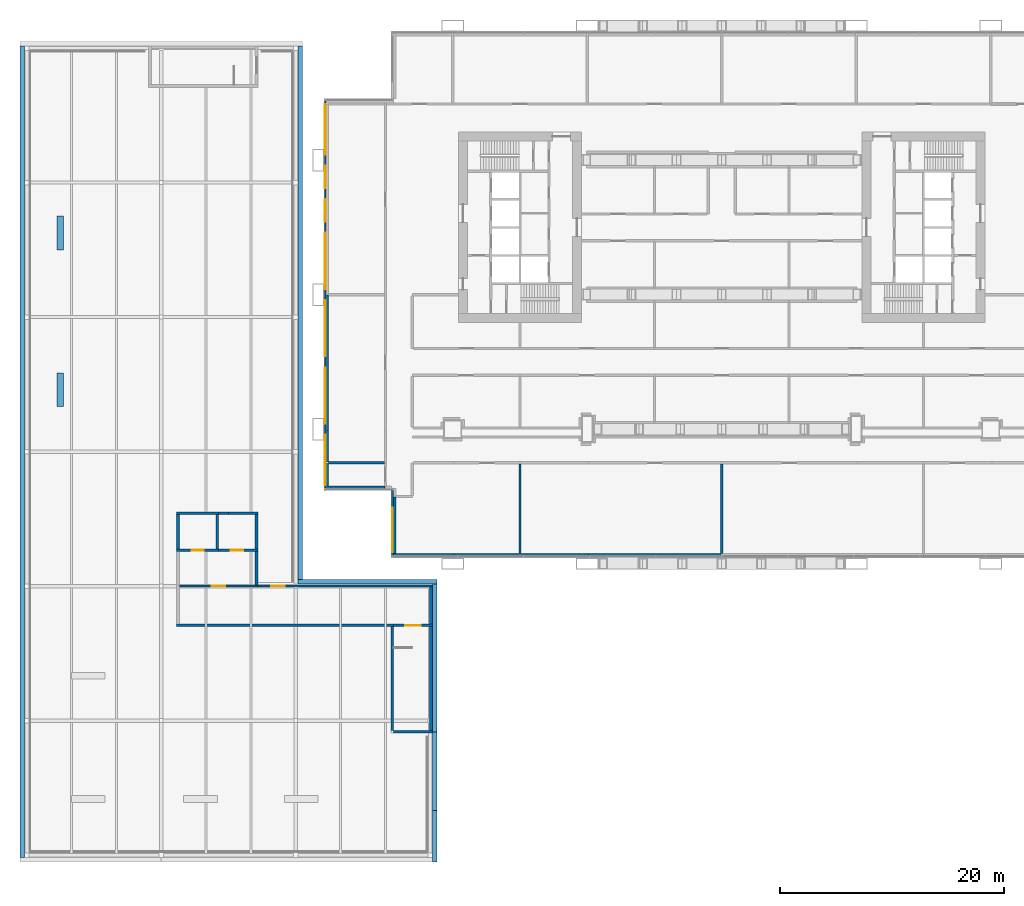
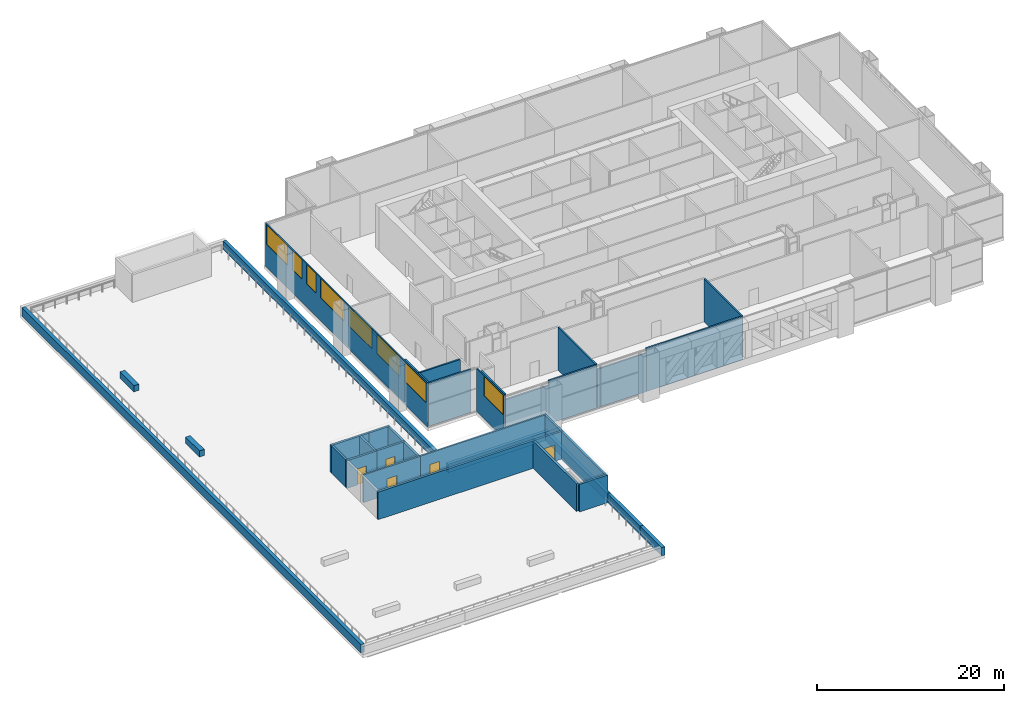
# One storey, part 20 of 27: 39 walls, 8 windows, 5 doors, 13 openings.
"""IFC4 building model written with IfcOpenShell, lengths in metres."""

from ifc_helpers import new_model, si_unit, direction, frame, frame_2d, origin, place, context, subcontext, project, spatial, rectangle, extrude, material, layer, layer_set, type_object, element, fill, save


model = new_model("IFC4")

# Units and contexts
model_context = context("Model", 3, precision=1e-05, world=origin(), true_north=direction((0.0, 1.0)))
body_context = subcontext(model_context, "Body", "Model", "MODEL_VIEW")
ifc_project = project(units=[si_unit("LENGTHUNIT", "METRE"), si_unit("AREAUNIT", "SQUARE_METRE"), si_unit("VOLUMEUNIT", "CUBIC_METRE"), si_unit("PLANEANGLEUNIT", "RADIAN"), si_unit("MASSUNIT", "GRAM", prefix="KILO")], contexts=[model_context])

# Site, building, storey
site_placement = place(None, origin())
site = spatial("IfcSite", under=ifc_project, at=site_placement, CompositionType="ELEMENT")
building_placement = place(site_placement, origin())
building = spatial("IfcBuilding", under=site, at=building_placement, Name="Kitamizu Gate Tower and Museum", CompositionType="ELEMENT")
storey_placement = place(building_placement, frame((0.0, 0.0, 24.0)))
storey = spatial("IfcBuildingStorey", under=building, at=storey_placement, Name="L04", CompositionType="ELEMENT", Elevation=24.0)

# Wall, opening, door
ifc_material_1 = material(Name="Concrete Fc30", Category="concrete")
ifc_layer_1 = layer(ifc_material_1, 0.199951171875)
ifc_layer_set_1 = layer_set([ifc_layer_1], Name="Concrete Fc30")
wall_type_1 = type_object("IfcWallType", Name="Museum RC core wall 200", PredefinedType="SHEAR", material=ifc_layer_set_1)
wall_1_placement = place(storey_placement, frame((-12.375, -2.0, 0.0), z_axis=(0.0, 0.0, 1.0), x_axis=(1.0, 0.0, 0.0)))
wall_1 = element("IfcWall", 1, at=wall_1_placement, inside=storey, type_object=wall_type_1, Name="Head-house wall 9.1", PredefinedType="SHEAR", context=body_context, shape_type="SweptSolid", body=[
    extrude(rectangle(XDim=7.0, YDim=0.199951171875, at=frame_2d((3.5, 0.0))), origin(), (0.0, 0.0, 1.0), 3.60009765625),
])
opening_1_placement = place(wall_1_placement, frame((2.89990234375, 0.0, 0.0)))
opening_1 = element("IfcOpeningElement", 2, at=opening_1_placement, cuts=wall_1, Name="Opening MUS-L04-003", PredefinedType="OPENING", context=body_context, shape_type="SweptSolid", body=[
    extrude(rectangle(XDim=1.199951171875, YDim=2.10009765625, at=frame_2d((0.60009765625, 1.050048828125))), frame((0.0, 0.10986328125, 0.0), z_axis=(0.0, -1.0, 0.0), x_axis=(1.0, 0.0, 0.0)), (0.0, 0.0, 1.0), 0.219970703125),
])
ifc_material_2 = material(Name="Timber leaf in hollow metal frame", Category="wood")
door_type_1 = type_object("IfcDoorType", Name="Museum roof access door 1200x2100 FD60", OperationType="NOTDEFINED", PredefinedType="DOOR", material=ifc_material_2)
door_1_placement = place(opening_1_placement, origin())
door_1 = element("IfcDoor", 3, at=door_1_placement, inside=storey, type_object=door_type_1, Name="Roof access door", OperationType="SINGLE_SWING_RIGHT", OverallHeight=2.10009765625, OverallWidth=1.199951171875, PredefinedType="DOOR", context=body_context, shape_type="SweptSolid", body=[
    extrude(rectangle(XDim=1.199951171875, YDim=2.10009765625, at=frame_2d((0.60009765625, 1.050048828125))), frame((0.0, 0.02490234375, 0.0), z_axis=(0.0, -1.0, 0.0), x_axis=(1.0, 0.0, 0.0)), (0.0, 0.0, 1.0), 0.050048828125),
])
fill(opening_1, door_1)

# Walls
ifc_material_3 = material(Name="Concrete Fc30", Category="concrete")
ifc_layer_2 = layer(ifc_material_3, 0.25)
ifc_layer_set_2 = layer_set([ifc_layer_2], Name="Concrete Fc30")
wall_type_2 = type_object("IfcWallType", Name="Museum RC core wall 250", PredefinedType="SHEAR", material=ifc_layer_set_2)
wall_2_placement = place(storey_placement, frame((-5.5, -1.89990234375, 0.0), z_axis=(0.0, 0.0, 1.0), x_axis=(0.0, 1.0, 0.0)))
element("IfcWall", 4, at=wall_2_placement, inside=storey, type_object=wall_type_2, Name="Head-house wall 10.1", PredefinedType="SHEAR", context=body_context, shape_type="SweptSolid", body=[
    extrude(rectangle(XDim=2.974853515625, YDim=0.25, at=frame_2d((1.4873046875, 0.0))), origin(), (0.0, 0.0, 1.0), 3.60009765625),
])
wall_3_placement = place(storey_placement, frame((-5.5, 1.324951171875, 0.0), z_axis=(0.0, 0.0, 1.0), x_axis=(0.0, 1.0, 0.0)))
element("IfcWall", 5, at=wall_3_placement, inside=storey, type_object=wall_type_2, Name="Head-house wall 13.1", PredefinedType="SHEAR", context=body_context, shape_type="SweptSolid", body=[
    extrude(rectangle(XDim=3.050048828125, YDim=0.25, at=frame_2d((1.52490234375, 0.0))), origin(), (0.0, 0.0, 1.0), 3.60009765625),
])

# Wall, opening, door
wall_4_placement = place(storey_placement, frame((6.72509765625, -5.5, 0.0), z_axis=(0.0, 0.0, 1.0), x_axis=(1.0, 0.0, 0.0)))
wall_4 = element("IfcWall", 6, at=wall_4_placement, inside=storey, type_object=wall_type_2, Name="Head-house wall 16.1", PredefinedType="SHEAR", context=body_context, shape_type="SweptSolid", body=[
    extrude(rectangle(XDim=3.474853515625, YDim=0.25, at=frame_2d((1.7373046875, 0.0))), origin(), (0.0, 0.0, 1.0), 3.60009765625),
])
opening_2_placement = place(wall_4_placement, frame((1.037109375, 0.0, 0.0)))
opening_2 = element("IfcOpeningElement", 7, at=opening_2_placement, cuts=wall_4, Name="Opening MUS-L04-001", PredefinedType="OPENING", context=body_context, shape_type="SweptSolid", body=[
    extrude(rectangle(XDim=1.39990234375, YDim=2.10009765625, at=frame_2d((0.699951171875, 1.050048828125))), frame((0.0, 0.135009765625, 0.0), z_axis=(0.0, -1.0, 0.0), x_axis=(1.0, 0.0, 0.0)), (0.0, 0.0, 1.0), 0.27001953125),
])
ifc_material_4 = material(Name="Timber leaf in hollow metal frame", Category="wood")
door_type_2 = type_object("IfcDoorType", Name="Museum roof access door 1400x2100 FD60", OperationType="DOUBLE_DOOR_SINGLE_SWING", PredefinedType="DOOR", material=ifc_material_4)
door_2_placement = place(opening_2_placement, origin())
door_2 = element("IfcDoor", 8, at=door_2_placement, inside=storey, type_object=door_type_2, Name="Roof access door", OperationType="DOUBLE_DOOR_SINGLE_SWING", OverallHeight=2.10009765625, OverallWidth=1.39990234375, PredefinedType="DOOR", context=body_context, shape_type="SweptSolid", body=[
    extrude(rectangle(XDim=1.39990234375, YDim=2.10009765625, at=frame_2d((0.699951171875, 1.050048828125))), frame((0.0, 0.02490234375, 0.0), z_axis=(0.0, -1.0, 0.0), x_axis=(1.0, 0.0, 0.0)), (0.0, 0.0, 1.0), 0.050048828125),
])
fill(opening_2, door_2)

wall_5_placement = place(storey_placement, frame((-12.625, 1.199951171875, 0.0), z_axis=(0.0, 0.0, 1.0), x_axis=(1.0, 0.0, 0.0)))
wall_5 = element("IfcWall", 9, at=wall_5_placement, inside=storey, type_object=wall_type_2, Name="Head-house wall 24.1", PredefinedType="SHEAR", context=body_context, shape_type="SweptSolid", body=[
    extrude(rectangle(XDim=3.75, YDim=0.25, at=frame_2d((1.875, 0.0))), origin(), (0.0, 0.0, 1.0), 3.60009765625),
])
opening_3_placement = place(wall_5_placement, frame((1.324951171875, 0.0, 0.0)))
opening_3 = element("IfcOpeningElement", 10, at=opening_3_placement, cuts=wall_5, Name="Opening MUS-L04-005", PredefinedType="OPENING", context=body_context, shape_type="SweptSolid", body=[
    extrude(rectangle(XDim=1.10009765625, YDim=2.10009765625, at=frame_2d((0.550048828125, 1.050048828125))), frame((0.0, 0.135009765625, 0.0), z_axis=(0.0, -1.0, 0.0), x_axis=(1.0, 0.0, 0.0)), (0.0, 0.0, 1.0), 0.27001953125),
])
ifc_material_5 = material(Name="Stainless steel SUS304", Category="steel")
door_type_3 = type_object("IfcDoorType", Name="Museum lift landing door 1100x2100", OperationType="SLIDING_TO_LEFT", PredefinedType="DOOR", material=ifc_material_5)
door_3_placement = place(opening_3_placement, origin())
door_3 = element("IfcDoor", 11, at=door_3_placement, inside=storey, type_object=door_type_3, Name="Lift landing door", OperationType="SLIDING_TO_LEFT", OverallHeight=2.10009765625, OverallWidth=1.10009765625, PredefinedType="DOOR", context=body_context, shape_type="SweptSolid", body=[
    extrude(rectangle(XDim=1.10009765625, YDim=2.10009765625, at=frame_2d((0.550048828125, 1.050048828125))), frame((0.0, 0.02490234375, 0.0), z_axis=(0.0, -1.0, 0.0), x_axis=(1.0, 0.0, 0.0)), (0.0, 0.0, 1.0), 0.050048828125),
])
fill(opening_3, door_3)

wall_6_placement = place(storey_placement, frame((-8.875, 1.199951171875, 0.0), z_axis=(0.0, 0.0, 1.0), x_axis=(1.0, 0.0, 0.0)))
wall_6 = element("IfcWall", 12, at=wall_6_placement, inside=storey, type_object=wall_type_2, Name="Head-house wall 25.1", PredefinedType="SHEAR", context=body_context, shape_type="SweptSolid", body=[
    extrude(rectangle(XDim=3.5, YDim=0.25, at=frame_2d((1.75, 0.0))), origin(), (0.0, 0.0, 1.0), 3.60009765625),
])
opening_4_placement = place(wall_6_placement, frame((1.074951171875, 0.0, 0.0)))
opening_4 = element("IfcOpeningElement", 13, at=opening_4_placement, cuts=wall_6, Name="Opening MUS-L04-006", PredefinedType="OPENING", context=body_context, shape_type="SweptSolid", body=[
    extrude(rectangle(XDim=1.10009765625, YDim=2.10009765625, at=frame_2d((0.550048828125, 1.050048828125))), frame((0.0, 0.135009765625, 0.0), z_axis=(0.0, -1.0, 0.0), x_axis=(1.0, 0.0, 0.0)), (0.0, 0.0, 1.0), 0.27001953125),
])
door_4_placement = place(opening_4_placement, origin())
door_4 = element("IfcDoor", 14, at=door_4_placement, inside=storey, type_object=door_type_3, Name="Lift landing door", OperationType="SLIDING_TO_LEFT", OverallHeight=2.10009765625, OverallWidth=1.10009765625, PredefinedType="DOOR", context=body_context, shape_type="SweptSolid", body=[
    extrude(rectangle(XDim=1.10009765625, YDim=2.10009765625, at=frame_2d((0.550048828125, 1.050048828125))), frame((0.0, 0.02490234375, 0.0), z_axis=(0.0, -1.0, 0.0), x_axis=(1.0, 0.0, 0.0)), (0.0, 0.0, 1.0), 0.050048828125),
])
fill(opening_4, door_4)

# Walls
for number, where, z_axis, x_axis, name in (
    (15, (-12.5, 1.324951171875, 0.0), (0.0, 0.0, 1.0), (0.0, 1.0, 0.0), "Head-house wall 28.1"),
    (16, (-9.0, 1.324951171875, 0.0), (0.0, 0.0, 1.0), (0.0, 1.0, 0.0), "Head-house wall 29.1"),
):
    element("IfcWall", number, at=place(storey_placement, frame(where, z_axis=z_axis, x_axis=x_axis)), inside=storey, type_object=wall_type_2, Name=name, PredefinedType="SHEAR", context=body_context, shape_type="SweptSolid", body=[
        extrude(rectangle(XDim=3.050048828125, YDim=0.25, at=frame_2d((1.52490234375, 0.0))), origin(), (0.0, 0.0, 1.0), 3.60009765625),
    ])
wall_7_placement = place(storey_placement, frame((-12.625, 4.5, 0.0), z_axis=(0.0, 0.0, 1.0), x_axis=(1.0, 0.0, 0.0)))
element("IfcWall", 17, at=wall_7_placement, inside=storey, type_object=wall_type_2, Name="Head-house wall 30.1", PredefinedType="SHEAR", context=body_context, shape_type="SweptSolid", body=[
    extrude(rectangle(XDim=3.75, YDim=0.25, at=frame_2d((1.875, 0.0))), origin(), (0.0, 0.0, 1.0), 3.60009765625),
])
wall_8_placement = place(storey_placement, frame((-8.0, 4.5, 0.0), z_axis=(0.0, 0.0, 1.0), x_axis=(1.0, 0.0, 0.0)))
element("IfcWall", 18, at=wall_8_placement, inside=storey, type_object=wall_type_2, Name="Head-house wall 31.1", PredefinedType="SHEAR", context=body_context, shape_type="SweptSolid", body=[
    extrude(rectangle(XDim=2.625, YDim=0.25, at=frame_2d((1.3125, 0.0))), origin(), (0.0, 0.0, 1.0), 3.60009765625),
])
wall_9_placement = place(storey_placement, frame((-8.875, 4.5, 0.0), z_axis=(0.0, 0.0, 1.0), x_axis=(1.0, 0.0, 0.0)))
element("IfcWall", 19, at=wall_9_placement, inside=storey, type_object=wall_type_2, Name="Head-house wall 32.1", PredefinedType="SHEAR", context=body_context, shape_type="SweptSolid", body=[
    extrude(rectangle(XDim=0.875, YDim=0.25, at=frame_2d((0.4375, 0.0))), origin(), (0.0, 0.0, 1.0), 3.60009765625),
])
wall_10_placement = place(storey_placement, frame((6.72509765625, -15.0, 0.0), z_axis=(0.0, 0.0, 1.0), x_axis=(1.0, 0.0, 0.0)))
element("IfcWall", 20, at=wall_10_placement, inside=storey, type_object=wall_type_2, Name="Head-house wall 35.1", PredefinedType="SHEAR", context=body_context, shape_type="SweptSolid", body=[
    extrude(rectangle(XDim=3.474853515625, YDim=0.25, at=frame_2d((1.7373046875, 0.0))), origin(), (0.0, 0.0, 1.0), 3.60009765625),
])
wall_11_placement = place(storey_placement, frame((6.60009765625, -14.875, 0.0), z_axis=(0.0, 0.0, 1.0), x_axis=(0.0, 1.0, 0.0)))
element("IfcWall", 21, at=wall_11_placement, inside=storey, type_object=wall_type_2, Name="Head-house wall 36.1", PredefinedType="SHEAR", context=body_context, shape_type="SweptSolid", body=[
    extrude(rectangle(XDim=9.25, YDim=0.25, at=frame_2d((4.625, 0.0))), origin(), (0.0, 0.0, 1.0), 3.60009765625),
])

# Wall, opening, door
ifc_material_6 = material(Name="Concrete Fc30", Category="concrete")
ifc_layer_3 = layer(ifc_material_6, 0.199951171875)
ifc_layer_set_3 = layer_set([ifc_layer_3], Name="Concrete Fc30")
wall_type_3 = type_object("IfcWallType", Name="Museum RC head house wall 200", PredefinedType="SHEAR", material=ifc_layer_set_3)
wall_12_placement = place(storey_placement, frame((-5.375, -2.0, 0.0), z_axis=(0.0, 0.0, 1.0), x_axis=(1.0, 0.0, 0.0)))
wall_12 = element("IfcWall", 22, at=wall_12_placement, inside=storey, type_object=wall_type_3, Name="Head-house wall C.4", PredefinedType="SHEAR", context=body_context, shape_type="SweptSolid", body=[
    extrude(rectangle(XDim=15.574951171875, YDim=0.199951171875, at=frame_2d((7.78759765625, 0.0))), origin(), (0.0, 0.0, 1.0), 3.60009765625),
])
opening_5_placement = place(wall_12_placement, frame((1.175048828125, 0.0, 0.0)))
opening_5 = element("IfcOpeningElement", 23, at=opening_5_placement, cuts=wall_12, Name="Opening MUS-L04-004", PredefinedType="OPENING", context=body_context, shape_type="SweptSolid", body=[
    extrude(rectangle(XDim=1.199951171875, YDim=2.10009765625, at=frame_2d((0.60009765625, 1.050048828125))), frame((0.0, 0.10986328125, 0.0), z_axis=(0.0, -1.0, 0.0), x_axis=(1.0, 0.0, 0.0)), (0.0, 0.0, 1.0), 0.219970703125),
])
door_5_placement = place(opening_5_placement, origin())
door_5 = element("IfcDoor", 24, at=door_5_placement, inside=storey, type_object=door_type_1, Name="Roof access door", OperationType="SINGLE_SWING_LEFT", OverallHeight=2.10009765625, OverallWidth=1.199951171875, PredefinedType="DOOR", context=body_context, shape_type="SweptSolid", body=[
    extrude(rectangle(XDim=1.199951171875, YDim=2.10009765625, at=frame_2d((0.60009765625, 1.050048828125))), frame((0.0, 0.02490234375, 0.0), z_axis=(0.0, -1.0, 0.0), x_axis=(1.0, 0.0, 0.0)), (0.0, 0.0, 1.0), 0.050048828125),
])
fill(opening_5, door_5)

# Walls
ifc_material_7 = material(Name="Concrete Fc30", Category="concrete")
ifc_layer_4 = layer(ifc_material_7, 0.25)
ifc_layer_set_4 = layer_set([ifc_layer_4], Name="Concrete Fc30")
wall_type_4 = type_object("IfcWallType", Name="Museum RC head house wall 250", PredefinedType="SHEAR", material=ifc_layer_set_4)
wall_13_placement = place(storey_placement, frame((10.074951171875, -14.875, 0.0), z_axis=(0.0, 0.0, 1.0), x_axis=(0.0, 1.0, 0.0)))
element("IfcWall", 25, at=wall_13_placement, inside=storey, type_object=wall_type_4, Name="Head-house wall S.1", PredefinedType="SHEAR", context=body_context, shape_type="SweptSolid", body=[
    extrude(rectangle(XDim=9.25, YDim=0.25, at=frame_2d((4.625, 0.0))), origin(), (0.0, 0.0, 1.0), 3.60009765625),
])
wall_14_placement = place(storey_placement, frame((-12.625, -5.5, 0.0), z_axis=(0.0, 0.0, 1.0), x_axis=(1.0, 0.0, 0.0)))
element("IfcWall", 26, at=wall_14_placement, inside=storey, type_object=wall_type_4, Name="Head-house wall C.1", PredefinedType="SHEAR", context=body_context, shape_type="SweptSolid", body=[
    extrude(rectangle(XDim=19.35009765625, YDim=0.25, at=frame_2d((9.675048828125, 0.0))), origin(), (0.0, 0.0, 1.0), 3.60009765625),
])
wall_15_placement = place(storey_placement, frame((10.074951171875, -5.375, 0.0), z_axis=(0.0, 0.0, 1.0), x_axis=(0.0, 1.0, 0.0)))
element("IfcWall", 27, at=wall_15_placement, inside=storey, type_object=wall_type_4, Name="Head-house wall C.3", PredefinedType="SHEAR", context=body_context, shape_type="SweptSolid", body=[
    extrude(rectangle(XDim=3.27490234375, YDim=0.25, at=frame_2d((1.637451171875, 0.0))), origin(), (0.0, 0.0, 1.0), 3.60009765625),
])
ifc_material_8 = material(Name="Concrete Fc30 precast", Category="concrete")
ifc_layer_5 = layer(ifc_material_8, 0.39990234375)
ifc_layer_set_5 = layer_set([ifc_layer_5], Name="Concrete Fc30 precast")
wall_type_5 = type_object("IfcWallType", Name="Museum parapet 400", PredefinedType="PARAPET", material=ifc_layer_set_5)
wall_16_placement = place(storey_placement, frame((10.39990234375, -22.0, 0.0), z_axis=(0.0, 0.0, 1.0), x_axis=(0.0, 1.0, 0.0)))
element("IfcWall", 28, at=wall_16_placement, inside=storey, type_object=wall_type_5, Name="Parapet 2", PredefinedType="PARAPET", context=body_context, shape_type="SweptSolid", body=[
    extrude(rectangle(XDim=7.0, YDim=0.39990234375, at=frame_2d((3.5, 0.0))), origin(), (0.0, 0.0, 1.0), 1.10009765625),
])
wall_17_placement = place(storey_placement, frame((10.39990234375, -26.60009765625, 0.0), z_axis=(0.0, 0.0, 1.0), x_axis=(0.0, 1.0, 0.0)))
element("IfcWall", 29, at=wall_17_placement, inside=storey, type_object=wall_type_5, Name="Parapet 4", PredefinedType="PARAPET", context=body_context, shape_type="SweptSolid", body=[
    extrude(rectangle(XDim=4.60009765625, YDim=0.39990234375, at=frame_2d((2.300048828125, 0.0))), origin(), (0.0, 0.0, 1.0), 1.10009765625),
])
wall_18_placement = place(storey_placement, frame((-26.39990234375, -26.199951171875, 0.0), z_axis=(0.0, 0.0, 1.0), x_axis=(0.0, 1.0, 0.0)))
element("IfcWall", 30, at=wall_18_placement, inside=storey, type_object=wall_type_5, Name="Parapet 5", PredefinedType="PARAPET", context=body_context, shape_type="SweptSolid", body=[
    extrude(rectangle(XDim=72.39990234375, YDim=0.39990234375, at=frame_2d((36.199951171875, 0.0))), origin(), (0.0, 0.0, 1.0), 1.10009765625),
])
wall_19_placement = place(storey_placement, frame((10.39990234375, -15.0, 0.0), z_axis=(0.0, 0.0, 1.0), x_axis=(0.0, 1.0, 0.0)))
element("IfcWall", 31, at=wall_19_placement, inside=storey, type_object=wall_type_5, Name="Parapet 6", PredefinedType="PARAPET", context=body_context, shape_type="SweptSolid", body=[
    extrude(rectangle(XDim=13.199951171875, YDim=0.39990234375, at=frame_2d((6.60009765625, 0.0))), origin(), (0.0, 0.0, 1.0), 1.10009765625),
])
wall_20_placement = place(storey_placement, frame((-1.800048828125, -1.60009765625, 0.0), z_axis=(0.0, 0.0, 1.0), x_axis=(1.0, 0.0, 0.0)))
element("IfcWall", 32, at=wall_20_placement, inside=storey, type_object=wall_type_5, Name="Parapet 7", PredefinedType="PARAPET", context=body_context, shape_type="SweptSolid", body=[
    extrude(rectangle(XDim=12.400146484375, YDim=0.39990234375, at=frame_2d((6.2001953125, 0.0))), origin(), (0.0, 0.0, 1.0), 1.10009765625),
])
wall_21_placement = place(storey_placement, frame((-1.60009765625, -1.39990234375, 0.0), z_axis=(0.0, 0.0, 1.0), x_axis=(0.0, 1.0, 0.0)))
element("IfcWall", 33, at=wall_21_placement, inside=storey, type_object=wall_type_5, Name="Parapet 8", PredefinedType="PARAPET", context=body_context, shape_type="SweptSolid", body=[
    extrude(rectangle(XDim=47.599853515625, YDim=0.39990234375, at=frame_2d((23.7998046875, 0.0))), origin(), (0.0, 0.0, 1.0), 1.10009765625),
])
ifc_material_9 = material(Name="Concrete Fc30", Category="concrete")
ifc_layer_6 = layer(ifc_material_9, 0.60009765625)
ifc_layer_set_6 = layer_set([ifc_layer_6], Name="Concrete Fc30")
wall_type_6 = type_object("IfcWallType", Name="Museum roof garden planting bed 600", PredefinedType="USERDEFINED", material=ifc_layer_set_6)
for number, where, z_axis, x_axis, name in (
    (34, (-23.0, 14.0, 0.0), (0.0, 0.0, 1.0), (0.0, 1.0, 0.0), "Planting bed 5"),
    (35, (-23.0, 28.0, 0.0), (0.0, 0.0, 1.0), (0.0, 1.0, 0.0), "Planting bed 6"),
):
    element("IfcWall", number, at=place(storey_placement, frame(where, z_axis=z_axis, x_axis=x_axis)), inside=storey, type_object=wall_type_6, Name=name, ObjectType="PLANTER", PredefinedType="USERDEFINED", context=body_context, shape_type="SweptSolid", body=[
        extrude(rectangle(XDim=3.0, YDim=0.60009765625, at=frame_2d((1.5, 0.0))), origin(), (0.0, 0.0, 1.0), 0.800048828125),
    ])
ifc_material_10 = material(Name="Gypsum board on galvanised stud")
ifc_layer_7 = layer(ifc_material_10, 0.199951171875)
ifc_layer_set_7 = layer_set([ifc_layer_7], Name="Gypsum board on galvanised stud")
wall_type_7 = type_object("IfcWallType", Name="Partition 200", PredefinedType="PARTITIONING", material=ifc_layer_set_7)
wall_22_placement = place(storey_placement, frame((0.919921875, 9.0, 0.0), z_axis=(0.0, 0.0, 1.0), x_axis=(1.0, 0.0, 0.0)))
element("IfcWall", 36, at=wall_22_placement, inside=storey, type_object=wall_type_7, Name="Partition L04-053", PredefinedType="PARTITIONING", context=body_context, shape_type="SweptSolid", body=[
    extrude(rectangle(XDim=4.97998046875, YDim=0.199951171875, at=frame_2d((2.489990234375, 0.0))), origin(), (0.0, 0.0, 1.0), 5.60009765625),
])
for number, where, z_axis, x_axis, name in (
    (37, (18.0, 0.919921875, 0.0), (0.0, 0.0, 1.0), (0.0, 1.0, 0.0), "Partition L04-058"),
    (38, (36.0, 0.919921875, 0.0), (0.0, 0.0, 1.0), (0.0, 1.0, 0.0), "Partition L04-059"),
):
    element("IfcWall", number, at=place(storey_placement, frame(where, z_axis=z_axis, x_axis=x_axis)), inside=storey, type_object=wall_type_7, Name=name, PredefinedType="PARTITIONING", context=body_context, shape_type="SweptSolid", body=[
        extrude(rectangle(XDim=7.97998046875, YDim=0.199951171875, at=frame_2d((3.989990234375, 0.0))), origin(), (0.0, 0.0, 1.0), 5.60009765625),
    ])
wall_23_placement = place(storey_placement, frame((0.820068359375, 23.949951171875, 0.0), z_axis=(0.0, 0.0, 1.0), x_axis=(0.0, -1.0, 0.0)))
element("IfcWall", 39, at=wall_23_placement, inside=storey, type_object=wall_type_7, Name="Partition L04-078", PredefinedType="PARTITIONING", context=body_context, shape_type="SweptSolid", body=[
    extrude(rectangle(XDim=12.050048828125, YDim=0.199951171875, at=frame_2d((6.02490234375, 0.0))), origin(), (0.0, 0.0, 1.0), 5.0),
])
wall_24_placement = place(storey_placement, frame((0.820068359375, 11.89990234375, 0.0), z_axis=(0.0, 0.0, 1.0), x_axis=(0.0, -1.0, 0.0)))
element("IfcWall", 40, at=wall_24_placement, inside=storey, type_object=wall_type_7, Name="Partition L04-078", PredefinedType="PARTITIONING", context=body_context, shape_type="SweptSolid", body=[
    extrude(rectangle(XDim=2.849853515625, YDim=0.199951171875, at=frame_2d((1.4248046875, 0.0))), origin(), (0.0, 0.0, 1.0), 5.60009765625),
])
wall_25_placement = place(storey_placement, frame((6.820068359375, 5.949951171875, 0.0), z_axis=(0.0, 0.0, 1.0), x_axis=(0.0, -1.0, 0.0)))
element("IfcWall", 41, at=wall_25_placement, inside=storey, type_object=wall_type_7, Name="Partition L04-078", PredefinedType="PARTITIONING", context=body_context, shape_type="SweptSolid", body=[
    extrude(rectangle(XDim=5.030029296875, YDim=0.199951171875, at=frame_2d((2.51513671875, 0.0))), origin(), (0.0, 0.0, 1.0), 5.60009765625),
])
wall_26_placement = place(storey_placement, frame((6.719970703125, 0.820068359375, 0.0), z_axis=(0.0, 0.0, 1.0), x_axis=(1.0, 0.0, 0.0)))
element("IfcWall", 42, at=wall_26_placement, inside=storey, type_object=wall_type_7, Name="Partition L04-078", PredefinedType="PARTITIONING", context=body_context, shape_type="SweptSolid", body=[
    extrude(rectangle(XDim=5.380126953125, YDim=0.199951171875, at=frame_2d((2.68994140625, 0.0))), origin(), (0.0, 0.0, 1.0), 5.0),
])
wall_27_placement = place(storey_placement, frame((12.10009765625, 0.820068359375, 0.0), z_axis=(0.0, 0.0, 1.0), x_axis=(1.0, 0.0, 0.0)))
element("IfcWall", 43, at=wall_27_placement, inside=storey, type_object=wall_type_7, Name="Partition L04-078", PredefinedType="PARTITIONING", context=body_context, shape_type="SweptSolid", body=[
    extrude(rectangle(XDim=5.849853515625, YDim=0.199951171875, at=frame_2d((2.9248046875, 0.0))), origin(), (0.0, 0.0, 1.0), 5.60009765625),
])
wall_28_placement = place(storey_placement, frame((0.820068359375, 8.949951171875, 0.0), z_axis=(0.0, 0.0, 1.0), x_axis=(0.0, -1.0, 0.0)))
element("IfcWall", 44, at=wall_28_placement, inside=storey, type_object=wall_type_7, Name="Partition L04-078", PredefinedType="PARTITIONING", context=body_context, shape_type="SweptSolid", body=[
    extrude(rectangle(XDim=2.030029296875, YDim=0.199951171875, at=frame_2d((1.01513671875, 0.0))), origin(), (0.0, 0.0, 1.0), 5.60009765625),
])
wall_29_placement = place(storey_placement, frame((0.719970703125, 6.820068359375, 0.0), z_axis=(0.0, 0.0, 1.0), x_axis=(1.0, 0.0, 0.0)))
element("IfcWall", 45, at=wall_29_placement, inside=storey, type_object=wall_type_7, Name="Partition L04-078", PredefinedType="PARTITIONING", context=body_context, shape_type="SweptSolid", body=[
    extrude(rectangle(XDim=5.22998046875, YDim=0.199951171875, at=frame_2d((2.614990234375, 0.0))), origin(), (0.0, 0.0, 1.0), 5.60009765625),
])
wall_30_placement = place(storey_placement, frame((18.050048828125, 0.820068359375, 0.0), z_axis=(0.0, 0.0, 1.0), x_axis=(1.0, 0.0, 0.0)))
element("IfcWall", 46, at=wall_30_placement, inside=storey, type_object=wall_type_7, Name="Partition L04-078", PredefinedType="PARTITIONING", context=body_context, shape_type="SweptSolid", body=[
    extrude(rectangle(XDim=6.050048828125, YDim=0.199951171875, at=frame_2d((3.02490234375, 0.0))), origin(), (0.0, 0.0, 1.0), 5.0),
])
wall_31_placement = place(storey_placement, frame((24.10009765625, 0.820068359375, 0.0), z_axis=(0.0, 0.0, 1.0), x_axis=(1.0, 0.0, 0.0)))
element("IfcWall", 47, at=wall_31_placement, inside=storey, type_object=wall_type_7, Name="Partition L04-078", PredefinedType="PARTITIONING", context=body_context, shape_type="SweptSolid", body=[
    extrude(rectangle(XDim=11.849853515625, YDim=0.199951171875, at=frame_2d((5.9248046875, 0.0))), origin(), (0.0, 0.0, 1.0), 5.60009765625),
])

# Wall, openings, windows
ifc_material_11 = material(Name="Bronze anodised aluminium frame with insulated spandrel and tinted glass", Category="aluminium")
ifc_layer_8 = layer(ifc_material_11, 0.14990234375)
ifc_layer_set_8 = layer_set([ifc_layer_8], Name="Bronze anodised aluminium frame with insulated spandrel and tinted glass")
wall_type_8 = type_object("IfcWallType", Name="WINDOW WALL 150 BRONZE FRAME EI 60", PredefinedType="ELEMENTEDWALL", material=ifc_layer_set_8)
wall_32_placement = place(storey_placement, frame((0.635009765625, 6.7099609375, 0.0), z_axis=(0.0, 0.0, 1.0), x_axis=(0.0, 1.0, 0.0)))
wall_32 = element("IfcWall", 48, at=wall_32_placement, inside=storey, type_object=wall_type_8, Name="Window wall west L04", PredefinedType="ELEMENTEDWALL", context=body_context, shape_type="SweptSolid", body=[
    extrude(rectangle(XDim=34.580078125, YDim=0.14990234375, at=frame_2d((17.2900390625, 0.0))), origin(), (0.0, 0.0, 1.0), 5.60009765625),
])
opening_6_placement = place(wall_32_placement, frame((0.2900390625, 0.0, 3.0)))
opening_6 = element("IfcOpeningElement", 49, at=opening_6_placement, cuts=wall_32, Name="Opening W19", PredefinedType="OPENING", context=body_context, shape_type="SweptSolid", body=[
    extrude(rectangle(XDim=4.5, YDim=2.550048828125, at=frame_2d((2.25, 1.27490234375))), frame((0.0, 0.0849609375, 0.0), z_axis=(0.0, -1.0, 0.0), x_axis=(1.0, 0.0, 0.0)), (0.0, 0.0, 1.0), 0.169921875),
])
opening_7_placement = place(wall_32_placement, frame((5.7900390625, 0.0, 3.0)))
opening_7 = element("IfcOpeningElement", 50, at=opening_7_placement, cuts=wall_32, Name="Opening W5", PredefinedType="OPENING", context=body_context, shape_type="SweptSolid", body=[
    extrude(rectangle(XDim=5.0, YDim=2.550048828125, at=frame_2d((2.5, 1.27490234375))), frame((0.0, 0.0849609375, 0.0), z_axis=(0.0, -1.0, 0.0), x_axis=(1.0, 0.0, 0.0)), (0.0, 0.0, 1.0), 0.169921875),
])
opening_8_placement = place(wall_32_placement, frame((11.7900390625, 0.0, 3.0)))
opening_8 = element("IfcOpeningElement", 51, at=opening_8_placement, cuts=wall_32, Name="Opening W5", PredefinedType="OPENING", context=body_context, shape_type="SweptSolid", body=[
    extrude(rectangle(XDim=5.0, YDim=2.550048828125, at=frame_2d((2.5, 1.27490234375))), frame((0.0, 0.0849609375, 0.0), z_axis=(0.0, -1.0, 0.0), x_axis=(1.0, 0.0, 0.0)), (0.0, 0.0, 1.0), 0.169921875),
])
opening_9_placement = place(wall_32_placement, frame((17.7900390625, 0.0, 3.0)))
opening_9 = element("IfcOpeningElement", 52, at=opening_9_placement, cuts=wall_32, Name="Opening W5", PredefinedType="OPENING", context=body_context, shape_type="SweptSolid", body=[
    extrude(rectangle(XDim=5.0, YDim=2.550048828125, at=frame_2d((2.5, 1.27490234375))), frame((0.0, 0.0849609375, 0.0), z_axis=(0.0, -1.0, 0.0), x_axis=(1.0, 0.0, 0.0)), (0.0, 0.0, 1.0), 0.169921875),
])
opening_10_placement = place(wall_32_placement, frame((23.7900390625, 0.0, 3.0)))
opening_10 = element("IfcOpeningElement", 53, at=opening_10_placement, cuts=wall_32, Name="Opening W6", PredefinedType="OPENING", context=body_context, shape_type="SweptSolid", body=[
    extrude(rectangle(XDim=2.0, YDim=2.550048828125, at=frame_2d((1.0, 1.27490234375))), frame((0.0, 0.0849609375, 0.0), z_axis=(0.0, -1.0, 0.0), x_axis=(1.0, 0.0, 0.0)), (0.0, 0.0, 1.0), 0.169921875),
])
opening_11_placement = place(wall_32_placement, frame((26.7900390625, 0.0, 3.0)))
opening_11 = element("IfcOpeningElement", 54, at=opening_11_placement, cuts=wall_32, Name="Opening W6", PredefinedType="OPENING", context=body_context, shape_type="SweptSolid", body=[
    extrude(rectangle(XDim=2.0, YDim=2.550048828125, at=frame_2d((1.0, 1.27490234375))), frame((0.0, 0.0849609375, 0.0), z_axis=(0.0, -1.0, 0.0), x_axis=(1.0, 0.0, 0.0)), (0.0, 0.0, 1.0), 0.169921875),
])
opening_12_placement = place(wall_32_placement, frame((29.7900390625, 0.0, 3.0)))
opening_12 = element("IfcOpeningElement", 55, at=opening_12_placement, cuts=wall_32, Name="Opening W19", PredefinedType="OPENING", context=body_context, shape_type="SweptSolid", body=[
    extrude(rectangle(XDim=4.5, YDim=2.550048828125, at=frame_2d((2.25, 1.27490234375))), frame((0.0, 0.0849609375, 0.0), z_axis=(0.0, -1.0, 0.0), x_axis=(1.0, 0.0, 0.0)), (0.0, 0.0, 1.0), 0.169921875),
])
ifc_material_12 = material(Name="Bronze anodised aluminium frame, tinted triple glazing", Category="aluminium")
window_type_1 = type_object("IfcWindowType", Name="WINDOW 2000 x 2550 SILL 3000", PartitioningType="SINGLE_PANEL", PredefinedType="WINDOW", material=ifc_material_12)
window_1_placement = place(opening_10_placement, origin())
window_1 = element("IfcWindow", 56, at=window_1_placement, inside=storey, type_object=window_type_1, Name="Window W6 L04", OverallHeight=2.550048828125, OverallWidth=2.0, PartitioningType="SINGLE_PANEL", PredefinedType="WINDOW", context=body_context, shape_type="SweptSolid", body=[
    extrude(rectangle(XDim=2.0, YDim=2.550048828125, at=frame_2d((1.0, 1.27490234375))), frame((0.0, 0.030029296875, 0.0), z_axis=(0.0, -1.0, 0.0), x_axis=(1.0, 0.0, 0.0)), (0.0, 0.0, 1.0), 0.06005859375),
])
fill(opening_10, window_1)
window_2_placement = place(opening_11_placement, origin())
window_2 = element("IfcWindow", 57, at=window_2_placement, inside=storey, type_object=window_type_1, Name="Window W6 L04", OverallHeight=2.550048828125, OverallWidth=2.0, PartitioningType="SINGLE_PANEL", PredefinedType="WINDOW", context=body_context, shape_type="SweptSolid", body=[
    extrude(rectangle(XDim=2.0, YDim=2.550048828125, at=frame_2d((1.0, 1.27490234375))), frame((0.0, 0.030029296875, 0.0), z_axis=(0.0, -1.0, 0.0), x_axis=(1.0, 0.0, 0.0)), (0.0, 0.0, 1.0), 0.06005859375),
])
fill(opening_11, window_2)
ifc_material_13 = material(Name="Bronze anodised aluminium frame, tinted triple glazing", Category="aluminium")
window_type_2 = type_object("IfcWindowType", Name="WINDOW 4500 x 2550 SILL 3000", PartitioningType="SINGLE_PANEL", PredefinedType="WINDOW", material=ifc_material_13)
window_3_placement = place(opening_6_placement, origin())
window_3 = element("IfcWindow", 58, at=window_3_placement, inside=storey, type_object=window_type_2, Name="Window W19 L04", OverallHeight=2.550048828125, OverallWidth=4.5, PartitioningType="SINGLE_PANEL", PredefinedType="WINDOW", context=body_context, shape_type="SweptSolid", body=[
    extrude(rectangle(XDim=4.5, YDim=2.550048828125, at=frame_2d((2.25, 1.27490234375))), frame((0.0, 0.030029296875, 0.0), z_axis=(0.0, -1.0, 0.0), x_axis=(1.0, 0.0, 0.0)), (0.0, 0.0, 1.0), 0.06005859375),
])
fill(opening_6, window_3)
window_4_placement = place(opening_12_placement, origin())
window_4 = element("IfcWindow", 59, at=window_4_placement, inside=storey, type_object=window_type_2, Name="Window W19 L04", OverallHeight=2.550048828125, OverallWidth=4.5, PartitioningType="SINGLE_PANEL", PredefinedType="WINDOW", context=body_context, shape_type="SweptSolid", body=[
    extrude(rectangle(XDim=4.5, YDim=2.550048828125, at=frame_2d((2.25, 1.27490234375))), frame((0.0, 0.030029296875, 0.0), z_axis=(0.0, -1.0, 0.0), x_axis=(1.0, 0.0, 0.0)), (0.0, 0.0, 1.0), 0.06005859375),
])
fill(opening_12, window_4)
ifc_material_14 = material(Name="Bronze anodised aluminium frame, tinted triple glazing", Category="aluminium")
window_type_3 = type_object("IfcWindowType", Name="WINDOW 5000 x 2550 SILL 3000", PartitioningType="SINGLE_PANEL", PredefinedType="WINDOW", material=ifc_material_14)
window_5_placement = place(opening_7_placement, origin())
window_5 = element("IfcWindow", 60, at=window_5_placement, inside=storey, type_object=window_type_3, Name="Window W5 L04", OverallHeight=2.550048828125, OverallWidth=5.0, PartitioningType="SINGLE_PANEL", PredefinedType="WINDOW", context=body_context, shape_type="SweptSolid", body=[
    extrude(rectangle(XDim=5.0, YDim=2.550048828125, at=frame_2d((2.5, 1.27490234375))), frame((0.0, 0.030029296875, 0.0), z_axis=(0.0, -1.0, 0.0), x_axis=(1.0, 0.0, 0.0)), (0.0, 0.0, 1.0), 0.06005859375),
])
fill(opening_7, window_5)
window_6_placement = place(opening_8_placement, origin())
window_6 = element("IfcWindow", 61, at=window_6_placement, inside=storey, type_object=window_type_3, Name="Window W5 L04", OverallHeight=2.550048828125, OverallWidth=5.0, PartitioningType="SINGLE_PANEL", PredefinedType="WINDOW", context=body_context, shape_type="SweptSolid", body=[
    extrude(rectangle(XDim=5.0, YDim=2.550048828125, at=frame_2d((2.5, 1.27490234375))), frame((0.0, 0.030029296875, 0.0), z_axis=(0.0, -1.0, 0.0), x_axis=(1.0, 0.0, 0.0)), (0.0, 0.0, 1.0), 0.06005859375),
])
fill(opening_8, window_6)
window_7_placement = place(opening_9_placement, origin())
window_7 = element("IfcWindow", 62, at=window_7_placement, inside=storey, type_object=window_type_3, Name="Window W5 L04", OverallHeight=2.550048828125, OverallWidth=5.0, PartitioningType="SINGLE_PANEL", PredefinedType="WINDOW", context=body_context, shape_type="SweptSolid", body=[
    extrude(rectangle(XDim=5.0, YDim=2.550048828125, at=frame_2d((2.5, 1.27490234375))), frame((0.0, 0.030029296875, 0.0), z_axis=(0.0, -1.0, 0.0), x_axis=(1.0, 0.0, 0.0)), (0.0, 0.0, 1.0), 0.06005859375),
])
fill(opening_9, window_7)

# Wall, opening, window
wall_33_placement = place(storey_placement, frame((6.635009765625, 0.7099609375, 0.0), z_axis=(0.0, 0.0, 1.0), x_axis=(0.0, 1.0, 0.0)))
wall_33 = element("IfcWall", 63, at=wall_33_placement, inside=storey, type_object=wall_type_8, Name="Window wall west L04", PredefinedType="ELEMENTEDWALL", context=body_context, shape_type="SweptSolid", body=[
    extrude(rectangle(XDim=5.85009765625, YDim=0.14990234375, at=frame_2d((2.925048828125, 0.0))), origin(), (0.0, 0.0, 1.0), 5.60009765625),
])
opening_13_placement = place(wall_33_placement, frame((0.2900390625, 0.0, 3.0)))
opening_13 = element("IfcOpeningElement", 64, at=opening_13_placement, cuts=wall_33, Name="Opening W20", PredefinedType="OPENING", context=body_context, shape_type="SweptSolid", body=[
    extrude(rectangle(XDim=4.0, YDim=2.550048828125, at=frame_2d((2.0, 1.27490234375))), frame((0.0, 0.0849609375, 0.0), z_axis=(0.0, -1.0, 0.0), x_axis=(1.0, 0.0, 0.0)), (0.0, 0.0, 1.0), 0.169921875),
])
ifc_material_15 = material(Name="Bronze anodised aluminium frame, tinted triple glazing", Category="aluminium")
window_type_4 = type_object("IfcWindowType", Name="WINDOW 4000 x 2550 SILL 3000", PartitioningType="SINGLE_PANEL", PredefinedType="WINDOW", material=ifc_material_15)
window_8_placement = place(opening_13_placement, origin())
window_8 = element("IfcWindow", 65, at=window_8_placement, inside=storey, type_object=window_type_4, Name="Window W20 L04", OverallHeight=2.550048828125, OverallWidth=4.0, PartitioningType="SINGLE_PANEL", PredefinedType="WINDOW", context=body_context, shape_type="SweptSolid", body=[
    extrude(rectangle(XDim=4.0, YDim=2.550048828125, at=frame_2d((2.0, 1.27490234375))), frame((0.0, 0.030029296875, 0.0), z_axis=(0.0, -1.0, 0.0), x_axis=(1.0, 0.0, 0.0)), (0.0, 0.0, 1.0), 0.06005859375),
])
fill(opening_13, window_8)

save(model, "model.ifc")
